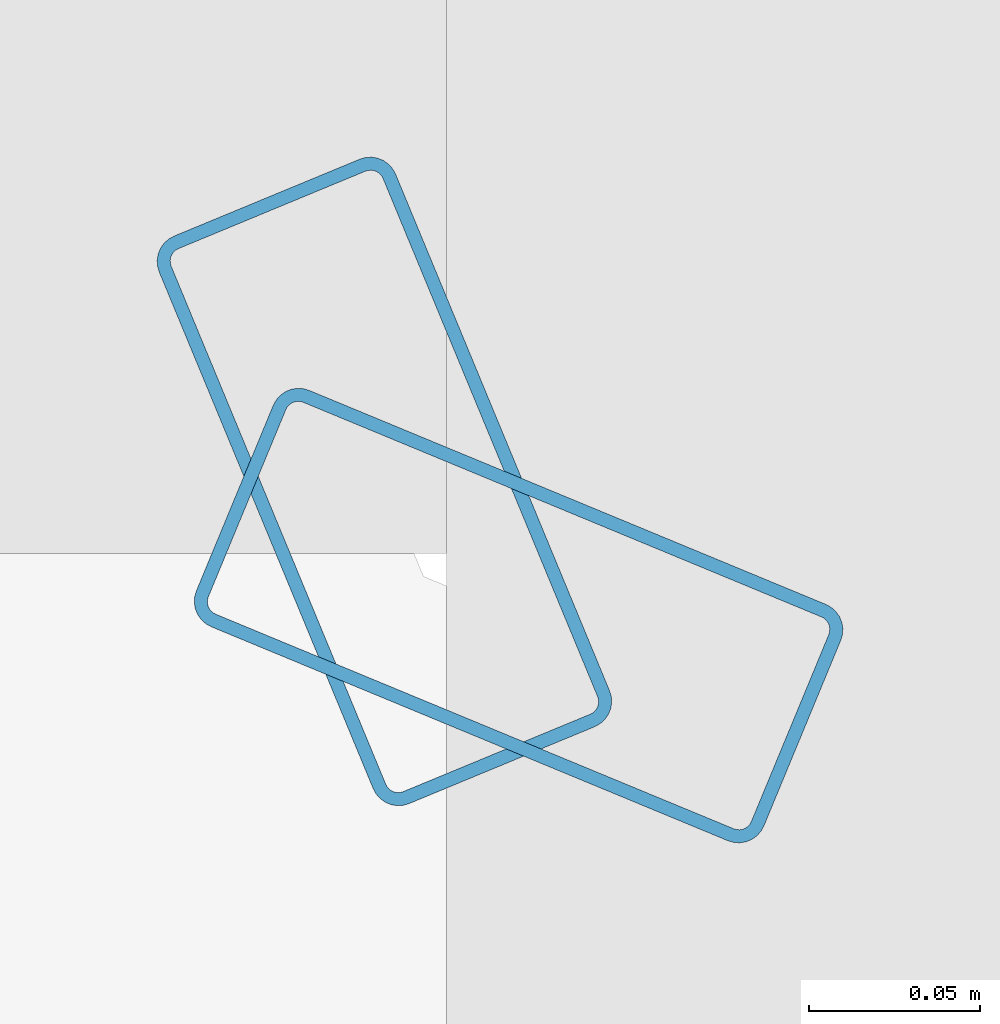
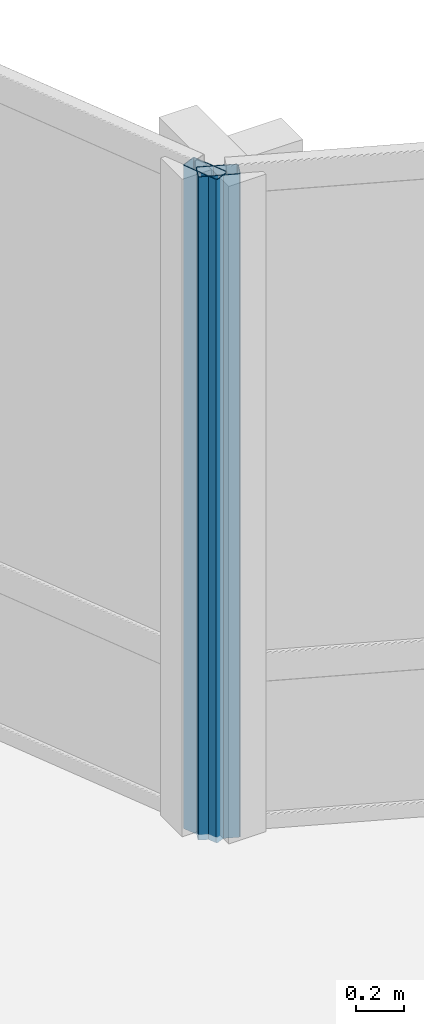
# One storey, part 8 of 29: 2 members, 2 elements without a shape of their own.
"""IFC4 building model written with IfcOpenShell, lengths in metres."""

from ifc_helpers import new_model, si_unit, direction, frame, origin, origin_2d, place, context, subcontext, project, spatial, hollow_rectangle, extrude, material, layer, layer_set, material_profile, profile_set, type_object, element, aggregate, save


model = new_model("IFC4")

# Units and contexts
model_context = context("Model", 3, precision=1e-05, world=origin(), true_north=direction((0.0, 1.0)))
body_context = subcontext(model_context, "Body", "Model", "MODEL_VIEW")
ifc_project = project(units=[si_unit("LENGTHUNIT", "METRE"), si_unit("AREAUNIT", "SQUARE_METRE"), si_unit("VOLUMEUNIT", "CUBIC_METRE"), si_unit("PLANEANGLEUNIT", "RADIAN"), si_unit("MASSUNIT", "GRAM", prefix="KILO")], contexts=[model_context])

# Site, building, storey
site_placement = place(None, origin())
site = spatial("IfcSite", under=ifc_project, at=site_placement, CompositionType="ELEMENT")
building_placement = place(site_placement, origin())
building = spatial("IfcBuilding", under=site, at=building_placement, Name="Solvaryn Broadcast Tower", CompositionType="ELEMENT")
storey_placement = place(building_placement, frame((0.0, 0.0, 165.5)))
storey = spatial("IfcBuildingStorey", under=building, at=storey_placement, Name="L41", CompositionType="ELEMENT", Elevation=165.5)

# Curtain wall, member
ifc_material_1 = material(Name="Aluminium and Terracotta Unitised Curtain Wall", Category="masonry")
ifc_layer = layer(ifc_material_1, 0.199951171875)
ifc_layer_set = layer_set([ifc_layer], Name="CW-SYS2-LOWMID")
curtain_wall_type = type_object("IfcCurtainWallType", Name="CW-SYS2-LOWMID", PredefinedType="NOTDEFINED", material=ifc_layer_set)
curtain_wall_1_placement = place(storey_placement, origin())
curtain_wall_1 = element("IfcCurtainWall", 1, at=curtain_wall_1_placement, inside=storey, type_object=curtain_wall_type, Name="L41 Curtain Wall CN1", PredefinedType="NOTDEFINED")
ifc_material_2 = material(Name="Anodised Aluminium 6063-T6", Category="aluminium")
ifc_material_profile = material_profile(ifc_material_2, hollow_rectangle(XDim=0.074951171875, YDim=0.179931640625, WallThickness=0.00390625, InnerFilletRadius=0.00390625, OuterFilletRadius=0.008056640625, at=origin_2d()))
ifc_profile_set = profile_set([ifc_material_profile], Name="Anodised Aluminium 6063-T6")
member_type = type_object("IfcMemberType", Name="CW-MUL-180", PredefinedType="MULLION", material=ifc_profile_set)
member_1_placement = place(storey_placement, frame((30.395751953125, 30.3564453125, 0.0), z_axis=(0.0, 0.0, 1.0), x_axis=(-0.382646127145, -0.923894983957, 0.0)))
member_1 = element("IfcMember", 2, at=member_1_placement, type_object=member_type, Name="CWS2 mullion 2", PredefinedType="MULLION", context=body_context, shape_type="SweptSolid", body=[
    extrude(hollow_rectangle(XDim=0.074951171875, YDim=0.179931640625, WallThickness=0.00390625, InnerFilletRadius=0.00390625, OuterFilletRadius=0.008056640625, at=origin_2d()), origin(), (0.0, 0.0, 1.0), 3.3701171875),
])
aggregate(curtain_wall_1, [member_1])

curtain_wall_2_placement = place(storey_placement, origin())
curtain_wall_2 = element("IfcCurtainWall", 3, at=curtain_wall_2_placement, inside=storey, type_object=curtain_wall_type, Name="L41 Curtain Wall CN2", PredefinedType="NOTDEFINED")
member_2_placement = place(storey_placement, frame((30.3564453125, 30.395751953125, 0.0), z_axis=(0.0, 0.0, 1.0), x_axis=(-0.923894983957, -0.382646127145, 0.0)))
member_2 = element("IfcMember", 4, at=member_2_placement, type_object=member_type, Name="CWS2 mullion 1", PredefinedType="MULLION", context=body_context, shape_type="SweptSolid", body=[
    extrude(hollow_rectangle(XDim=0.074951171875, YDim=0.179931640625, WallThickness=0.00390625, InnerFilletRadius=0.00390625, OuterFilletRadius=0.008056640625, at=origin_2d()), origin(), (0.0, 0.0, 1.0), 3.3701171875),
])
aggregate(curtain_wall_2, [member_2])

save(model, "model.ifc")
